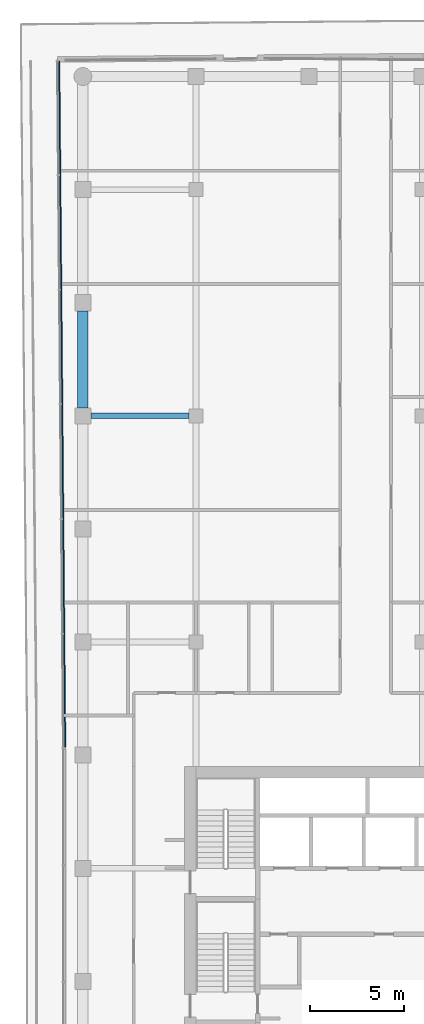
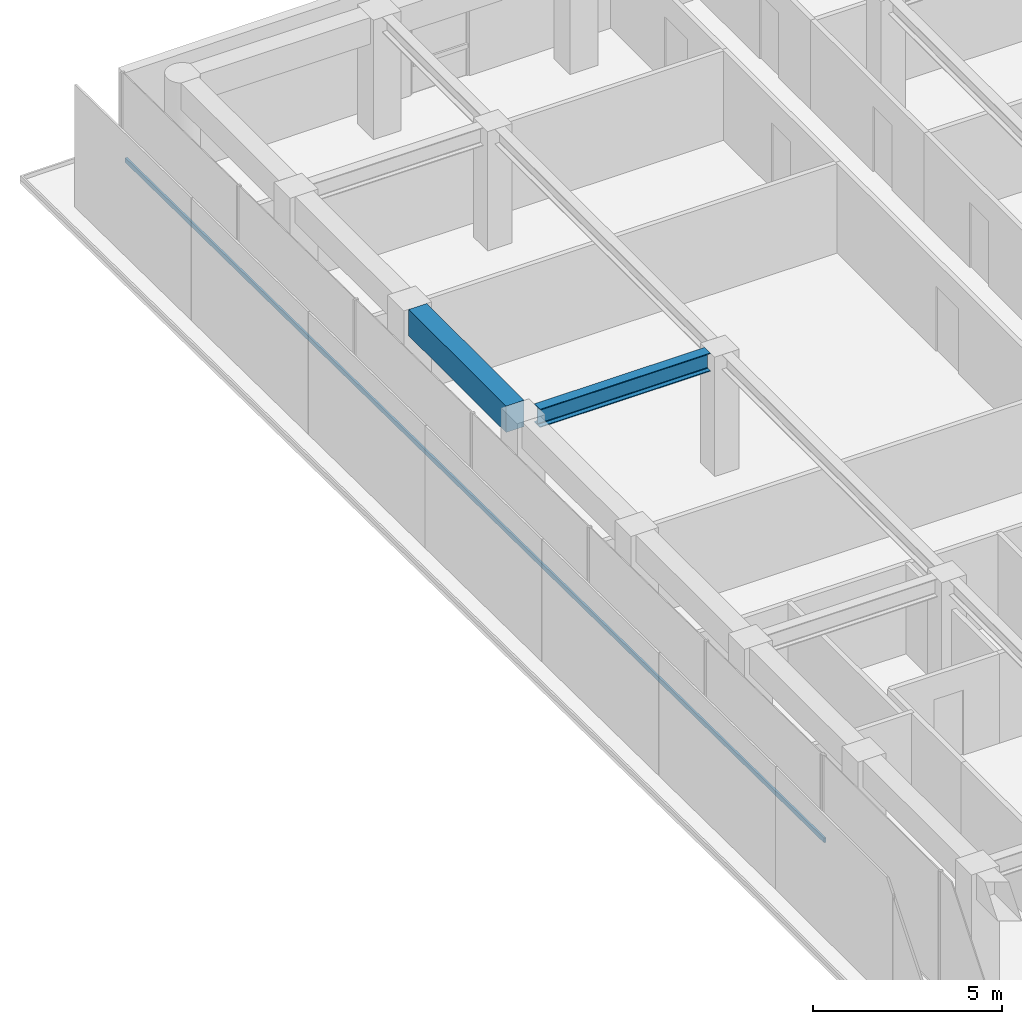
# One storey, part 10 of 19: 2 beams, 1 member, 1 element without a shape of its own.
"""IFC4 building model written with IfcOpenShell, lengths in metres."""

from ifc_helpers import new_model, si_unit, direction, frame, origin, origin_2d, place, context, subcontext, project, spatial, rectangle, i_section, extrude, material, layer, layer_set, material_profile, profile_set, type_object, element, aggregate, save


model = new_model("IFC4")

# Units and contexts
model_context = context("Model", 3, precision=1e-05, world=origin(), true_north=direction((0.0, 1.0)))
body_context = subcontext(model_context, "Body", "Model", "MODEL_VIEW")
ifc_project = project(units=[si_unit("LENGTHUNIT", "METRE"), si_unit("AREAUNIT", "SQUARE_METRE"), si_unit("VOLUMEUNIT", "CUBIC_METRE"), si_unit("PLANEANGLEUNIT", "RADIAN"), si_unit("MASSUNIT", "GRAM", prefix="KILO")], contexts=[model_context])

# Site, building, storey
site_placement = place(None, origin())
site = spatial("IfcSite", under=ifc_project, at=site_placement, CompositionType="ELEMENT")
building_placement = place(site_placement, origin())
building = spatial("IfcBuilding", under=site, at=building_placement, Name="Welwitschia Terrace Campus", CompositionType="ELEMENT")
storey_placement = place(building_placement, frame((0.0, 0.0, 171.800048828125)))
storey = spatial("IfcBuildingStorey", under=building, at=storey_placement, Name="L38", CompositionType="ELEMENT", Elevation=171.800048828125)

# Beams
ifc_material_1 = material(Name="Steel S355", Category="steel")
ifc_material_profile_1 = material_profile(ifc_material_1, i_section(OverallWidth=0.300048828125, OverallDepth=0.590087890625, WebThickness=0.012939453125, FlangeThickness=0.02490234375, FilletRadius=0.027099609375, at=origin_2d()))
ifc_profile_set_1 = profile_set([ifc_material_profile_1], Name="Steel S355")
beam_type_1 = type_object("IfcBeamType", Name="Primary beam HE 600 A", PredefinedType="BEAM", material=ifc_profile_set_1)
beam_1_placement = place(storey_placement, frame((0.425537109375, 44.0, 3.554931640625), z_axis=(1.0, 0.0, 0.0), x_axis=(0.0, 1.0, 0.0)))
element("IfcBeam", 1, at=beam_1_placement, inside=storey, type_object=beam_type_1, Name="Primary beam PB4", PredefinedType="BEAM", context=body_context, shape_type="SweptSolid", body=[
    extrude(i_section(OverallWidth=0.300048828125, OverallDepth=0.590087890625, WebThickness=0.012939453125, FlangeThickness=0.02490234375, FilletRadius=0.027099609375, at=origin_2d()), origin(), (0.0, 0.0, 1.0), 5.198974609375),
])
ifc_material_2 = material(Name="Concrete C50/60", Category="concrete")
ifc_material_profile_2 = material_profile(ifc_material_2, rectangle(XDim=0.550048828125, YDim=0.85009765625, at=origin_2d()))
ifc_profile_set_2 = profile_set([ifc_material_profile_2], Name="Concrete C50/60")
beam_type_2 = type_object("IfcBeamType", Name="Ring spandrel 550x850", PredefinedType="SPANDREL", material=ifc_profile_set_2)
beam_2_placement = place(storey_placement, frame((0.0, 49.574462890625, 3.425048828125), z_axis=(0.0, -1.0, 0.0), x_axis=(1.0, 0.0, 0.0)))
element("IfcBeam", 2, at=beam_2_placement, inside=storey, type_object=beam_type_2, Name="Spandrel SP3", PredefinedType="SPANDREL", context=body_context, shape_type="SweptSolid", body=[
    extrude(rectangle(XDim=0.550048828125, YDim=0.85009765625, at=origin_2d()), origin(), (0.0, 0.0, 1.0), 5.14892578125),
])

# Curtain wall, member
ifc_material_3 = material(Name="Bronze anodised aluminium", Category="aluminium")
ifc_layer = layer(ifc_material_3, 0.1201171875)
ifc_layer_set = layer_set([ifc_layer], Name="Bronze anodised aluminium")
curtain_wall_type = type_object("IfcCurtainWallType", Name="Curtain wall CW2 tower 6000", PredefinedType="NOTDEFINED", material=ifc_layer_set)
curtain_wall_placement = place(storey_placement, origin())
curtain_wall = element("IfcCurtainWall", 3, at=curtain_wall_placement, inside=storey, type_object=curtain_wall_type, Name="CW L38.0.0", PredefinedType="NOTDEFINED")
ifc_material_4 = material(Name="Bronze anodised aluminium", Category="aluminium")
ifc_material_profile_3 = material_profile(ifc_material_4, rectangle(XDim=0.06005859375, YDim=0.14990234375, at=origin_2d()))
ifc_profile_set_3 = profile_set([ifc_material_profile_3], Name="Bronze anodised aluminium")
member_type = type_object("IfcMemberType", Name="Transom 60x150", PredefinedType="USERDEFINED", material=ifc_profile_set_3)
member_placement = place(storey_placement, frame((-1.258056640625, 62.801513671875, 1.0), z_axis=(0.008731562377, -0.999961879183, 0.0), x_axis=(0.999961879183, 0.008731562377, 0.0)))
member = element("IfcMember", 4, at=member_placement, type_object=member_type, Name="Transom L38.0.0", ObjectType="TRANSOM", PredefinedType="USERDEFINED", context=body_context, shape_type="SweptSolid", body=[
    extrude(rectangle(XDim=0.06005859375, YDim=0.14990234375, at=origin_2d()), origin(), (0.0, 0.0, 1.0), 36.376953125),
])
aggregate(curtain_wall, [member])

save(model, "model.ifc")
